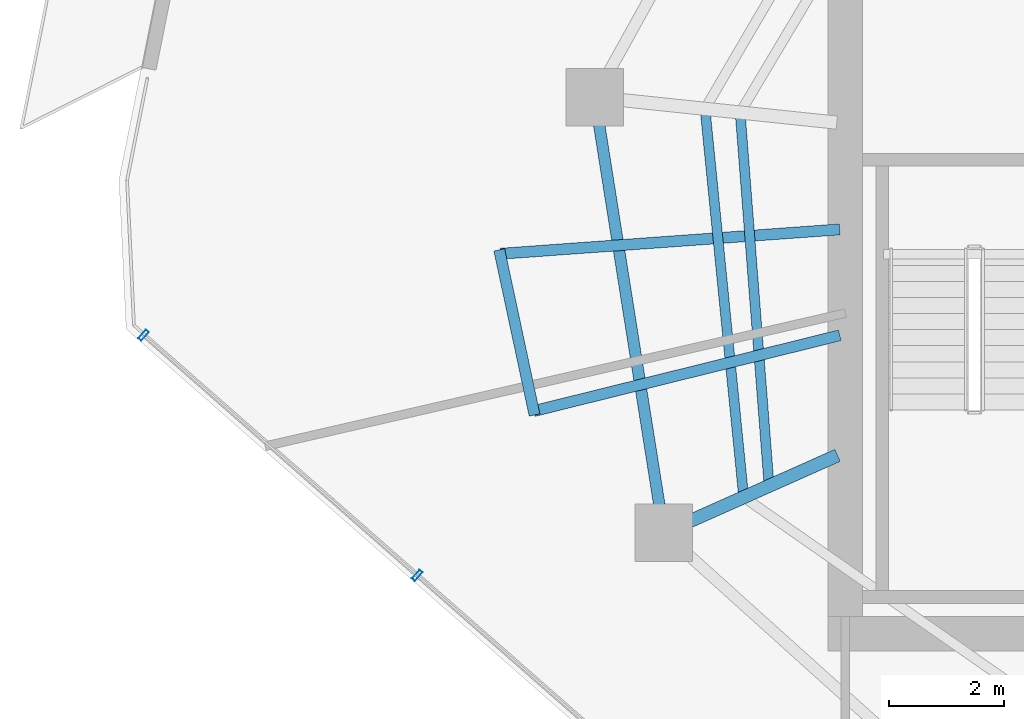
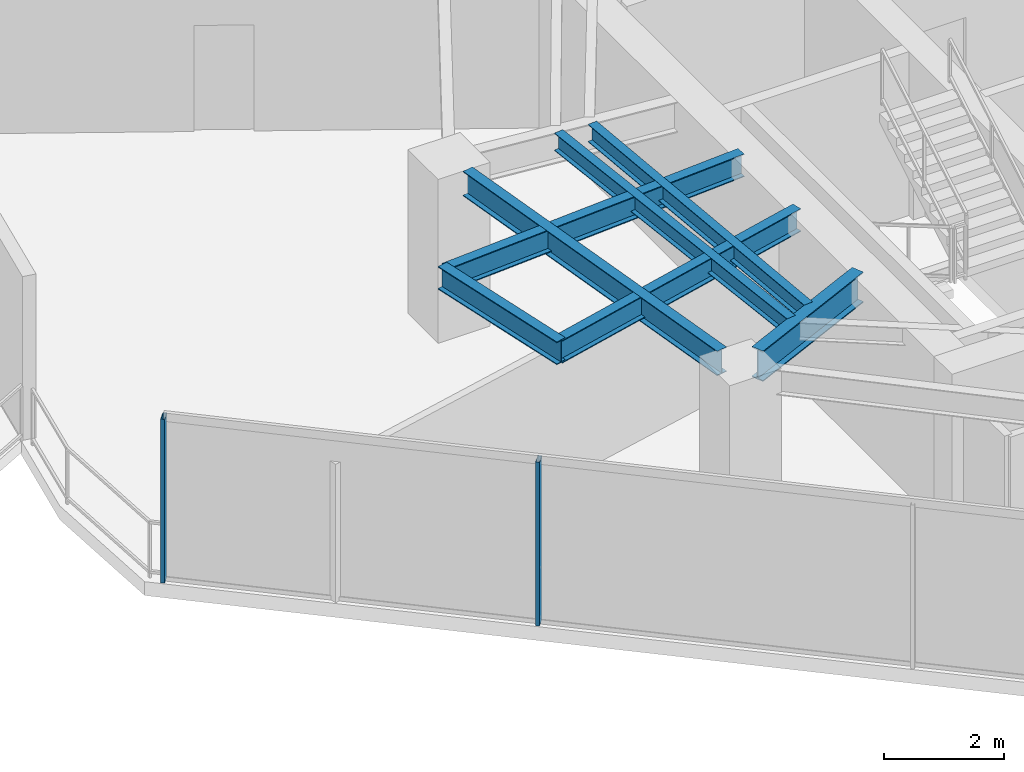
# One storey, part 6 of 20: 7 beams, 2 members, 1 element without a shape of its own.
"""IFC4 building model written with IfcOpenShell, lengths in metres."""

from ifc_helpers import new_model, si_unit, direction, frame, origin, origin_2d, place, context, subcontext, project, spatial, hollow_rectangle, i_section, extrude, material, layer, layer_set, material_profile, profile_set, type_object, element, aggregate, save


model = new_model("IFC4")

# Units and contexts
model_context = context("Model", 3, precision=1e-05, world=origin(), true_north=direction((0.0, 1.0)))
body_context = subcontext(model_context, "Body", "Model", "MODEL_VIEW")
ifc_project = project(units=[si_unit("LENGTHUNIT", "METRE"), si_unit("AREAUNIT", "SQUARE_METRE"), si_unit("VOLUMEUNIT", "CUBIC_METRE"), si_unit("PLANEANGLEUNIT", "RADIAN"), si_unit("MASSUNIT", "GRAM", prefix="KILO")], contexts=[model_context])

# Site, building, storey
site_placement = place(None, origin())
site = spatial("IfcSite", under=ifc_project, at=site_placement, CompositionType="ELEMENT")
building_placement = place(site_placement, origin())
building = spatial("IfcBuilding", under=site, at=building_placement, Name="Qarnah Convention Tower", CompositionType="ELEMENT")
storey_placement = place(building_placement, frame((0.0, 0.0, 136.5)))
storey = spatial("IfcBuildingStorey", under=building, at=storey_placement, Name="L36", CompositionType="ELEMENT", Elevation=136.5)

# Beams
ifc_material_1 = material(Name="Structural steel S355JR", Category="steel")
ifc_material_profile_1 = material_profile(ifc_material_1, i_section(OverallWidth=0.19189453125, OverallDepth=0.464111328125, WebThickness=0.010986328125, FlangeThickness=0.01806640625, at=origin_2d()), Name="W460X89")
ifc_profile_set_1 = profile_set([ifc_material_profile_1], Name="Structural steel S355JR")
beam_type_1 = type_object("IfcBeamType", Name="BM-CANT-W460A", PredefinedType="BEAM", material=ifc_profile_set_1)
beam_1_placement = place(storey_placement, frame((26.699951171875, 25.64794921875, 3.087890625), z_axis=(-0.997431478283, -0.071627132639, 0.0), x_axis=(0.071627132639, -0.997431478283, 0.0)))
element("IfcBeam", 1, at=beam_1_placement, inside=storey, type_object=beam_type_1, Name="L36 beam BM-L36-CNT-02-1", PredefinedType="BEAM", context=body_context, shape_type="SweptSolid", body=[
    extrude(i_section(OverallWidth=0.19189453125, OverallDepth=0.464111328125, WebThickness=0.010986328125, FlangeThickness=0.01806640625, at=origin_2d()), origin(), (0.0, 0.0, 1.0), 5.93408203125),
])
beam_2_placement = place(storey_placement, frame((26.702880859375, 23.802001953125, 3.087890625), z_axis=(-0.970704086067, -0.240278124872, 0.0), x_axis=(0.240278124872, -0.970704086067, 0.0)))
element("IfcBeam", 2, at=beam_2_placement, inside=storey, type_object=beam_type_1, Name="L36 beam BM-L36-CNT-02-2", PredefinedType="BEAM", context=body_context, shape_type="SweptSolid", body=[
    extrude(i_section(OverallWidth=0.19189453125, OverallDepth=0.464111328125, WebThickness=0.010986328125, FlangeThickness=0.01806640625, at=origin_2d()), origin(), (0.0, 0.0, 1.0), 5.498046875),
])
beam_3_placement = place(storey_placement, frame((20.76611328125, 25.291015625, 3.087890625), z_axis=(0.208973836363, -0.977921231857, 0.0), x_axis=(0.977921231857, 0.208973836363, 0.0)))
element("IfcBeam", 3, at=beam_3_placement, inside=storey, type_object=beam_type_1, Name="L36 spandrel BM-L36-CTIE-02", PredefinedType="SPANDREL", context=body_context, shape_type="SweptSolid", body=[
    extrude(i_section(OverallWidth=0.19189453125, OverallDepth=0.464111328125, WebThickness=0.010986328125, FlangeThickness=0.01806640625, at=origin_2d()), origin(), (0.0, 0.0, 1.0), 2.94287109375),
])
ifc_material_profile_2 = material_profile(ifc_material_1, i_section(OverallWidth=0.172119140625, OverallDepth=0.35595703125, WebThickness=0.007080078125, FlangeThickness=0.011962890625, at=origin_2d()), Name="W360X51")
ifc_profile_set_2 = profile_set([ifc_material_profile_2], Name="Structural steel S355JR")
beam_type_2 = type_object("IfcBeamType", Name="BM-JST-W360", PredefinedType="JOIST", material=ifc_profile_set_2)
beam_4_placement = place(storey_placement, frame((24.362060546875, 27.659912109375, 3.14208984375), z_axis=(0.099058399416, -0.995081621529, 0.0), x_axis=(0.995081621529, 0.099058399416, 0.0)))
element("IfcBeam", 4, at=beam_4_placement, inside=storey, type_object=beam_type_2, Name="L36 joist BM-L36-SJST-05", PredefinedType="JOIST", context=body_context, shape_type="SweptSolid", body=[
    extrude(i_section(OverallWidth=0.172119140625, OverallDepth=0.35595703125, WebThickness=0.007080078125, FlangeThickness=0.011962890625, at=origin_2d()), origin(), (0.0, 0.0, 1.0), 6.622314453125),
])
beam_5_placement = place(storey_placement, frame((24.971923828125, 27.595947265625, 3.14208984375), z_axis=(0.07735538429, -0.997003583003, 0.0), x_axis=(0.997003583003, 0.07735538429, 0.0)))
element("IfcBeam", 5, at=beam_5_placement, inside=storey, type_object=beam_type_2, Name="L36 joist BM-L36-IJST-05", PredefinedType="JOIST", context=body_context, shape_type="SweptSolid", body=[
    extrude(i_section(OverallWidth=0.172119140625, OverallDepth=0.35595703125, WebThickness=0.007080078125, FlangeThickness=0.011962890625, at=origin_2d()), origin(), (0.0, 0.0, 1.0), 6.346923828125),
])
ifc_material_profile_3 = material_profile(ifc_material_1, i_section(OverallWidth=0.22998046875, OverallDepth=0.617919921875, WebThickness=0.012939453125, FlangeThickness=0.02197265625, at=origin_2d()), Name="W610X140")
ifc_profile_set_3 = profile_set([ifc_material_profile_3], Name="Structural steel S355JR")
beam_type_3 = type_object("IfcBeamType", Name="BM-RAD-W610A", PredefinedType="BEAM", material=ifc_profile_set_3)
beam_6_placement = place(storey_placement, frame((26.6630859375, 21.708984375, 3.010986328125), z_axis=(-0.913488265638, -0.406865074123, 0.0), x_axis=(0.406865074123, -0.913488265638, 0.0)))
element("IfcBeam", 6, at=beam_6_placement, inside=storey, type_object=beam_type_3, Name="L36 beam BM-L36-RAD-06", PredefinedType="BEAM", context=body_context, shape_type="SweptSolid", body=[
    extrude(i_section(OverallWidth=0.22998046875, OverallDepth=0.617919921875, WebThickness=0.012939453125, FlangeThickness=0.02197265625, at=origin_2d()), origin(), (0.0, 0.0, 1.0), 2.83642578125),
])
ifc_material_profile_4 = material_profile(ifc_material_1, i_section(OverallWidth=0.199951171875, OverallDepth=0.5, WebThickness=0.010009765625, FlangeThickness=0.01611328125, at=origin_2d()), Name="IPE500")
ifc_profile_set_4 = profile_set([ifc_material_profile_4], Name="Structural steel S355JR")
beam_type_4 = type_object("IfcBeamType", Name="BM-SPN-IPE500", PredefinedType="SPANDREL", material=ifc_profile_set_4)
beam_7_placement = place(storey_placement, frame((22.508056640625, 27.468017578125, 3.070068359375), z_axis=(0.156388773261, -0.987695576379, 0.0), x_axis=(0.987695576379, 0.156388773261, 0.0)))
element("IfcBeam", 7, at=beam_7_placement, inside=storey, type_object=beam_type_4, Name="L36 spandrel BM-L36-SPN-05", PredefinedType="SPANDREL", context=body_context, shape_type="SweptSolid", body=[
    extrude(i_section(OverallWidth=0.199951171875, OverallDepth=0.5, WebThickness=0.010009765625, FlangeThickness=0.01611328125, at=origin_2d()), origin(), (0.0, 0.0, 1.0), 6.70654296875),
])

# Curtain wall, members
ifc_material_2 = material(Name="Tempered Low-E dark glass", Category="glass")
ifc_layer = layer(ifc_material_2, 0.172119140625)
ifc_layer_set = layer_set([ifc_layer], Name="Tempered Low-E dark glass")
curtain_wall_type = type_object("IfcCurtainWallType", Name="CWS-03", PredefinedType="NOTDEFINED", material=ifc_layer_set)
curtain_wall_placement = place(storey_placement, origin())
curtain_wall = element("IfcCurtainWall", 8, at=curtain_wall_placement, inside=storey, type_object=curtain_wall_type, Name="L36 unitised curtain wall CW-L36-F2", PredefinedType="NOTDEFINED")
ifc_material_3 = material(Name="Black anodised aluminium", Category="aluminium")
ifc_material_profile_5 = material_profile(ifc_material_3, hollow_rectangle(XDim=0.070068359375, YDim=0.199951171875, WallThickness=0.0048828125, at=origin_2d()), Name="MUL-70X200")
ifc_profile_set_5 = profile_set([ifc_material_profile_5], Name="Black anodised aluminium")
member_type = type_object("IfcMemberType", Name="MUL-T3", PredefinedType="MULLION", material=ifc_profile_set_5)
member_1_placement = place(storey_placement, frame((19.335693359375, 19.61669921875, 0.0), z_axis=(0.0, 0.0, 1.0), x_axis=(-0.751498144926, 0.659735203072, 0.0)))
member_1 = element("IfcMember", 9, at=member_1_placement, type_object=member_type, Name="CW-L36-F2 mullion 5", PredefinedType="MULLION", context=body_context, shape_type="SweptSolid", body=[
    extrude(hollow_rectangle(XDim=0.070068359375, YDim=0.199951171875, WallThickness=0.0048828125, at=origin_2d()), origin(), (0.0, 0.0, 1.0), 3.320068359375),
])
member_2_placement = place(storey_placement, frame((14.56591796875, 23.803955078125, 0.0), z_axis=(0.0, 0.0, 1.0), x_axis=(-0.751498144926, 0.659735203072, 0.0)))
member_2 = element("IfcMember", 10, at=member_2_placement, type_object=member_type, Name="CW-L36-F2 mullion 6", PredefinedType="MULLION", context=body_context, shape_type="SweptSolid", body=[
    extrude(hollow_rectangle(XDim=0.070068359375, YDim=0.199951171875, WallThickness=0.0048828125, at=origin_2d()), origin(), (0.0, 0.0, 1.0), 3.320068359375),
])
aggregate(curtain_wall, [member_1, member_2])

save(model, "model.ifc")
